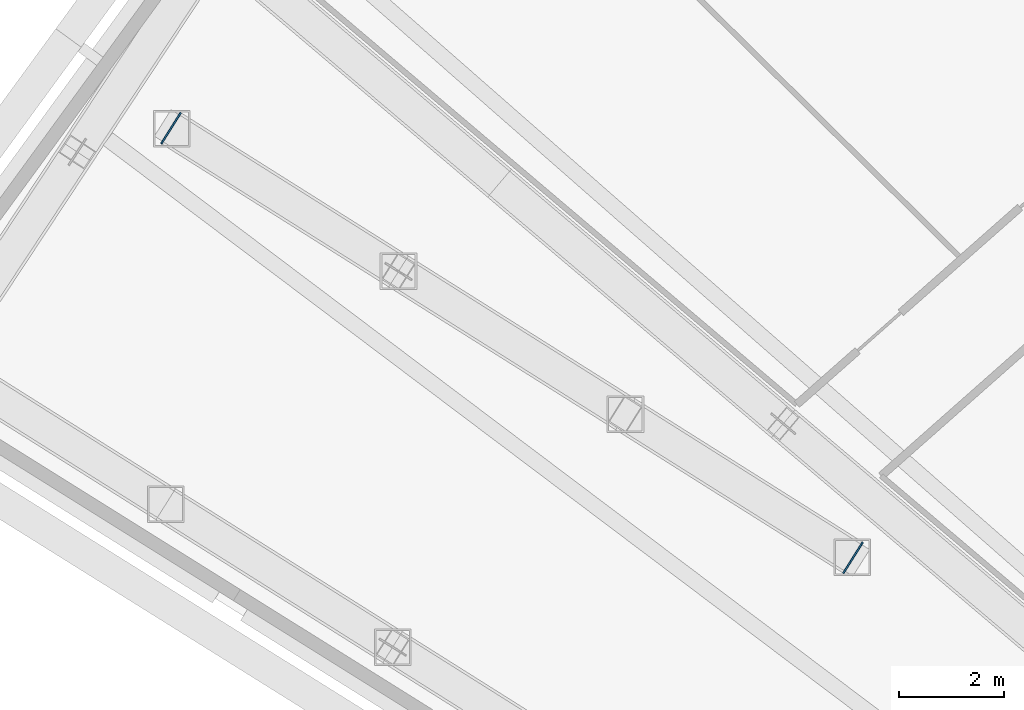
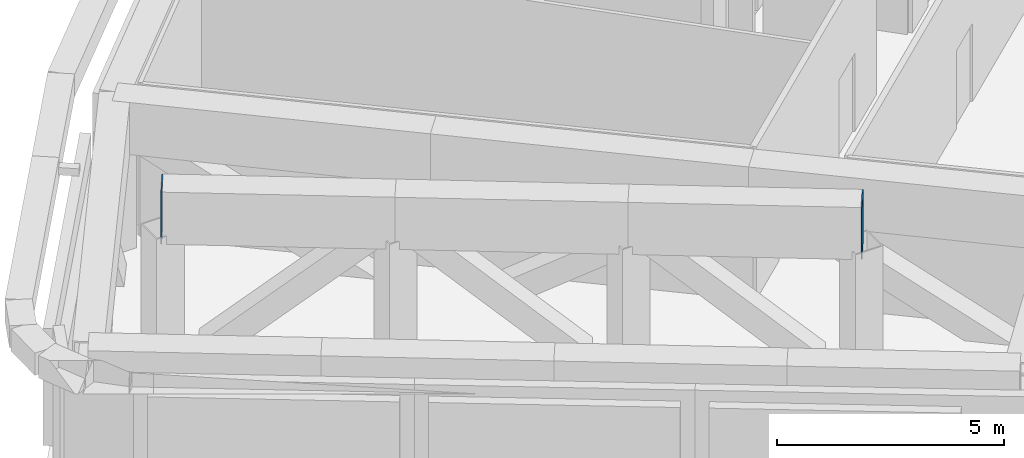
# One storey, part 14 of 25: 2 discrete accessories.
"""IFC4 building model written with IfcOpenShell, lengths in metres."""

from ifc_helpers import new_model, si_unit, direction, frame, origin, origin_2d, place, context, subcontext, project, spatial, rectangle, extrude, material, type_object, element, save


model = new_model("IFC4")

# Units and contexts
model_context = context("Model", 3, precision=1e-05, world=origin(), true_north=direction((0.0, 1.0)))
body_context = subcontext(model_context, "Body", "Model", "MODEL_VIEW")
ifc_project = project(units=[si_unit("LENGTHUNIT", "METRE"), si_unit("AREAUNIT", "SQUARE_METRE"), si_unit("VOLUMEUNIT", "CUBIC_METRE"), si_unit("PLANEANGLEUNIT", "RADIAN"), si_unit("MASSUNIT", "GRAM", prefix="KILO")], contexts=[model_context])

# Site, building, storey
site_placement = place(None, origin())
site = spatial("IfcSite", under=ifc_project, at=site_placement, CompositionType="ELEMENT")
building_placement = place(site_placement, origin())
building = spatial("IfcBuilding", under=site, at=building_placement, Name="Tuul Gate Civic Tower", CompositionType="ELEMENT")
storey_placement = place(building_placement, frame((0.0, 0.0, 133.699951171875)))
storey = spatial("IfcBuildingStorey", under=building, at=storey_placement, Name="Plant and refuge floor 4", CompositionType="ELEMENT", Elevation=133.699951171875)

# Discrete accessories
ifc_material = material(Name="Steel S355", Category="steel")
discrete_accessory_type = type_object("IfcDiscreteAccessoryType", Name="End cap plate", PredefinedType="BRACKET", material=ifc_material)
for number, where, z_axis, x_axis, name in (
    (1, (-38.80224609375, -28.654052734375, 2.7001953125), (0.0, 0.0, 1.0), (0.846131945012, -0.53297348117, 0.0), "End cap plate"),
    (2, (-51.854736328125, -20.43408203125, 2.7001953125), (0.0, 0.0, 1.0), (0.846219820146, -0.53283394786, 0.0), "End cap plate"),
):
    element("IfcDiscreteAccessory", number, at=place(storey_placement, frame(where, z_axis=z_axis, x_axis=x_axis)), inside=storey, type_object=discrete_accessory_type, Name=name, PredefinedType="BRACKET", context=body_context, shape_type="SweptSolid", body=[
        extrude(rectangle(XDim=0.030029296875, YDim=0.699951171875, at=origin_2d()), origin(), (0.0, 0.0, 1.0), 1.39990234375),
    ])

save(model, "model.ifc")
